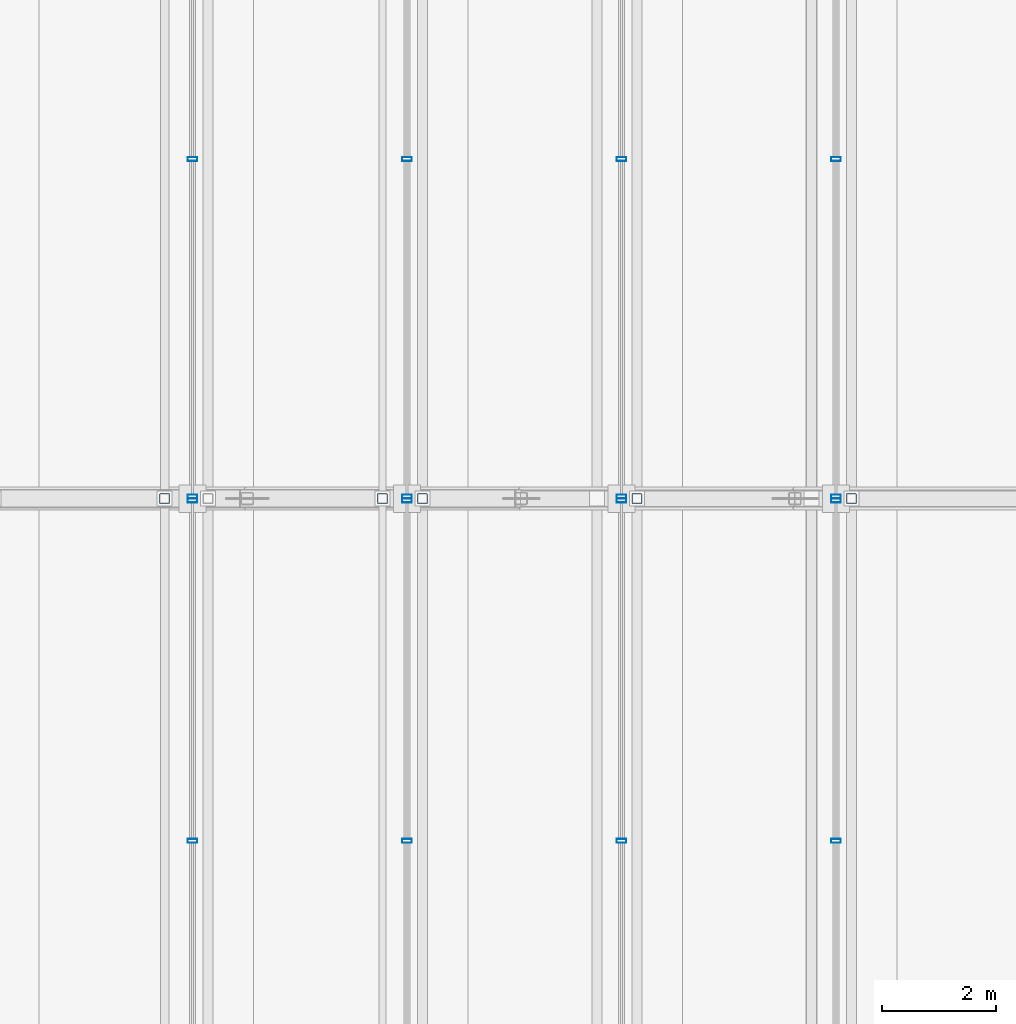
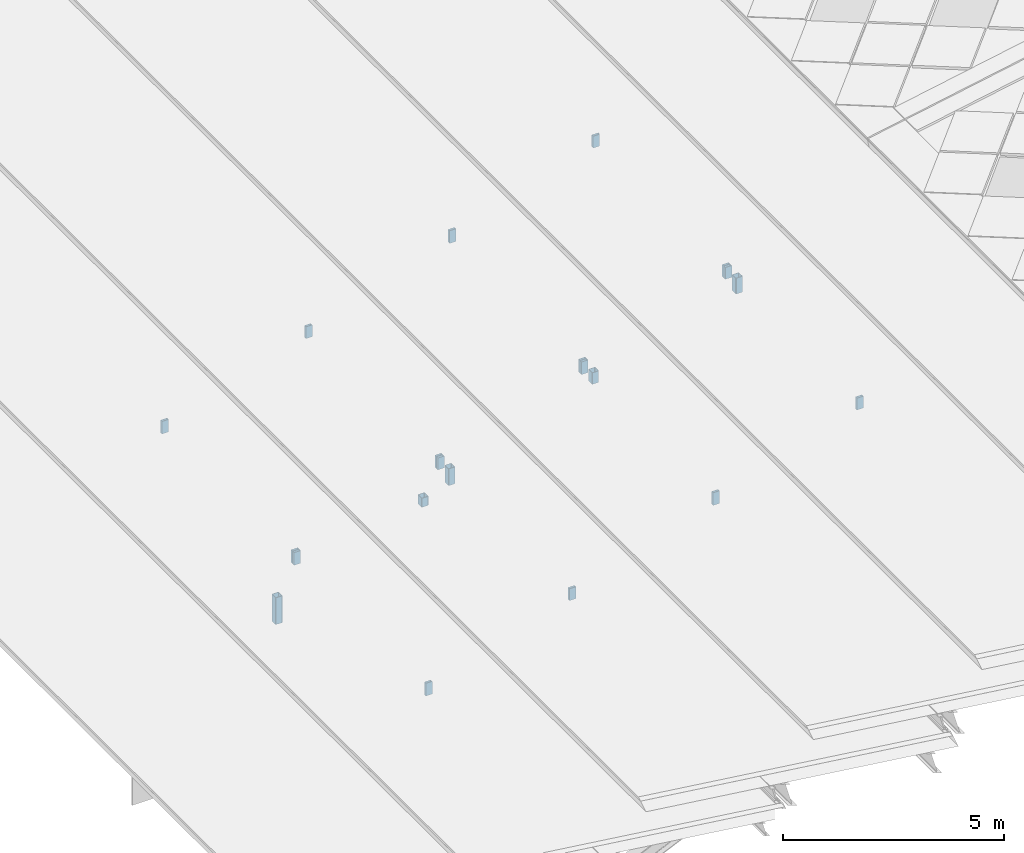
# One storey, part 67 of 117: 21 members, 8 elements without a shape of their own.
"""IFC4 building model written with IfcOpenShell, lengths in metres."""

import ifcopenshell
import ifcopenshell.guid

model = None  # the IFC model being written
_history = None  # IfcOwnerHistory: only IFC2X3 demands one
_inside = {}  # id of a spatial element -> (the spatial element, [elements in it])
_under = {}  # id of a project, library or spatial element -> (it, [spatial elements below it])
_declared = {}  # id of a project -> (the project, [libraries it declares])
_typed = {}  # id of a type object -> (the type object, [elements of that type])
_made_of = {}  # id of a material, layer set ... -> (it, [elements and type objects made of it])


def new_model(schema):
    """Start an empty IFC model of exactly this schema.

    Asked for "IFC4X3", IfcOpenShell would pick the latest addendum, in which some entities
    have other attributes; the version numbers below select the first issue.
    IFC2X3 requires an IfcOwnerHistory on every rooted entity: one is made here for all.
    """
    global model, _history
    if schema == "IFC4X3":
        model = ifcopenshell.file(schema_version=(4, 3, 0, 0))
    else:
        model = ifcopenshell.file(schema=schema)
    _inside.clear()
    _under.clear()
    _declared.clear()
    _typed.clear()
    _made_of.clear()
    _history = None
    if model.schema == "IFC2X3":
        org = make("IfcOrganization", Name="unknown")
        user = make(
            "IfcPersonAndOrganization",
            ThePerson=make("IfcPerson", FamilyName="unknown"),
            TheOrganization=org,
        )
        app = make(
            "IfcApplication",
            ApplicationDeveloper=org,
            Version="unknown",
            ApplicationFullName="unknown",
            ApplicationIdentifier="unknown",
        )
        _history = make(
            "IfcOwnerHistory",
            OwningUser=user,
            OwningApplication=app,
            ChangeAction="ADDED",
            CreationDate=0,
        )
    return model


def make(cls, **values):
    """One entity of the class cls with the attributes given. An attribute that is None is left unset."""
    return model.create_entity(
        cls, **{name: value for name, value in values.items() if value is not None}
    )


def rooted(cls, **values):
    """An entity with a GlobalId (a new one), such as an element, a storey or a relation."""
    return make(cls, GlobalId=ifcopenshell.guid.new(), OwnerHistory=_history, **values)


def si_unit(unit_type, name, prefix=None):
    """IfcSIUnit, for example si_unit("LENGTHUNIT", "METRE", prefix="MILLI")."""
    return make("IfcSIUnit", UnitType=unit_type, Prefix=prefix, Name=name)


def assignment(units):
    """IfcUnitAssignment: the units of a project."""
    return None if units is None else make("IfcUnitAssignment", Units=units)


def point(xyz):
    """IfcCartesianPoint."""
    return None if xyz is None else make("IfcCartesianPoint", Coordinates=xyz)


def direction(xyz):
    """IfcDirection."""
    return None if xyz is None else make("IfcDirection", DirectionRatios=xyz)


def frame(location, z_axis=None, x_axis=None):
    """IfcAxis2Placement3D, a coordinate frame: its origin and axes. An axis left out is left unset."""
    return make(
        "IfcAxis2Placement3D",
        Location=point(location),
        Axis=direction(z_axis),
        RefDirection=direction(x_axis),
    )


def frame_2d(location, x_axis=None):
    """IfcAxis2Placement2D, a coordinate frame in the plane: its origin and x axis."""
    return make(
        "IfcAxis2Placement2D", Location=point(location), RefDirection=direction(x_axis)
    )


def origin():
    """The frame at (0, 0, 0) with its axes left unset."""
    return frame((0.0, 0.0, 0.0))


def origin_2d():
    """The frame at (0, 0) in the plane with its x axis left unset."""
    return frame_2d((0.0, 0.0))


def place(relative_to, where):
    """IfcLocalPlacement: puts the frame where relative to a parent placement (None: the world)."""
    return make(
        "IfcLocalPlacement", PlacementRelTo=relative_to, RelativePlacement=where
    )


def context(
    kind, dimensions, precision=None, world=None, true_north=None, identifier=None
):
    """IfcGeometricRepresentationContext, for example the 3D "Model" context."""
    return make(
        "IfcGeometricRepresentationContext",
        ContextIdentifier=identifier,
        ContextType=kind,
        CoordinateSpaceDimension=dimensions,
        Precision=precision,
        WorldCoordinateSystem=world,
        TrueNorth=true_north,
    )


def subcontext(parent, identifier, kind, view, scale=None):
    """IfcGeometricRepresentationSubContext, for example "Body" below "Model"."""
    return make(
        "IfcGeometricRepresentationSubContext",
        ContextIdentifier=identifier,
        ContextType=kind,
        ParentContext=parent,
        TargetScale=scale,
        TargetView=view,
    )


def project(units=None, contexts=None):
    """IfcProject with its units and contexts."""
    return rooted(
        "IfcProject",
        Name="project",
        RepresentationContexts=contexts,
        UnitsInContext=assignment(units),
    )


def spatial(cls, under=None, at=None, **own):
    """A site, building, storey or space (cls), placed at a placement, below another one or the project."""
    s = rooted(cls, ObjectPlacement=at, **own)
    if under is not None:
        _under.setdefault(under.id(), (under, []))[1].append(s)
    return s


def profile(cls, at=None, kind="AREA", **sizes):
    """A parametric profile (cls). Its sizes go by their IFC names, for example OverallWidth=200.0."""
    return make(cls, ProfileType=kind, Position=at, **sizes)


def hollow_rectangle(**sizes):
    """IfcRectangleHollowProfileDef."""
    return profile("IfcRectangleHollowProfileDef", **sizes)


def extrude(swept, where, along, depth):
    """IfcExtrudedAreaSolid: the profile swept, set in the frame where, extruded along a direction by depth."""
    return make(
        "IfcExtrudedAreaSolid",
        SweptArea=swept,
        Position=where,
        ExtrudedDirection=direction(along),
        Depth=depth,
    )


def shape(context_of_items, identifier, shape_type, items):
    """IfcShapeRepresentation: the items that make up one representation, for example the "Body"."""
    return make(
        "IfcShapeRepresentation",
        ContextOfItems=context_of_items,
        RepresentationIdentifier=identifier,
        RepresentationType=shape_type,
        Items=items,
    )


def material(Name=None, Category=None):
    """IfcMaterial."""
    return make("IfcMaterial", Name=Name, Category=Category)


def material_profile(
    of_material, cross_section, Name=None, Category=None, Priority=None
):
    """IfcMaterialProfile: a cross section and its material."""
    return make(
        "IfcMaterialProfile",
        Name=Name,
        Material=of_material,
        Profile=cross_section,
        Priority=Priority,
        Category=Category,
    )


def profile_set(profiles, Name=None, composite=None):
    """IfcMaterialProfileSet."""
    return make(
        "IfcMaterialProfileSet",
        Name=Name,
        MaterialProfiles=profiles,
        CompositeProfile=composite,
    )


def made_of(thing, what):
    """Note that an element or type object is made of a material, layer set ...; save() writes the relation."""
    if what is not None:
        _made_of.setdefault(what.id(), (what, []))[1].append(thing)
    return thing


def type_object(cls, material=None, **own):
    """A type object (cls), such as IfcWallType, which elements share."""
    return made_of(rooted(cls, **own), material)


def element(
    cls,
    number,
    at=None,
    inside=None,
    cuts=None,
    type_object=None,
    material=None,
    context=None,
    identifier="Body",
    shape_type=None,
    held_by="IfcProductDefinitionShape",
    body=None,
    shapes=None,
    **own,
):
    """One element of the class cls, such as IfcWall. Its Tag is "e" and its number.

    at: its placement. inside: the storey or other place that contains it. cuts: it is an
    opening in that element (IfcRelVoidsElement). A single representation is given by context,
    identifier, shape_type and body (its items); several are given by shapes. held_by: the class
    of the entity that holds the representations. save() writes the other relations.
    """
    e = rooted(cls, Tag="e%d" % number, ObjectPlacement=at, **own)
    if body is not None:
        shapes = [shape(context, identifier, shape_type, body)]
    if shapes is not None:
        e.Representation = make(held_by, Representations=shapes)
    if inside is not None:
        _inside.setdefault(inside.id(), (inside, []))[1].append(e)
    if cuts is not None:
        rooted(
            "IfcRelVoidsElement", RelatingBuildingElement=cuts, RelatedOpeningElement=e
        )
    if type_object is not None:
        _typed.setdefault(type_object.id(), (type_object, []))[1].append(e)
    return made_of(e, material)


def aggregate(whole, parts):
    """IfcRelAggregates: a whole, such as a stair, and the parts it consists of."""
    return rooted("IfcRelAggregates", RelatingObject=whole, RelatedObjects=parts)


def save(model, path):
    """Write the relations noted so far, then the file.

    IfcRelAggregates (storeys below a building ...), IfcRelContainedInSpatialStructure (elements
    in a storey), IfcRelDefinesByType, IfcRelAssociatesMaterial and IfcRelDeclares: one each for
    every whole, place, type object, material and project.
    """
    for whole, parts in _under.values():
        aggregate(whole, parts)
    for where, things in _inside.values():
        rooted(
            "IfcRelContainedInSpatialStructure",
            RelatedElements=things,
            RelatingStructure=where,
        )
    for kind, things in _typed.values():
        rooted("IfcRelDefinesByType", RelatedObjects=things, RelatingType=kind)
    for what, things in _made_of.values():
        rooted("IfcRelAssociatesMaterial", RelatedObjects=things, RelatingMaterial=what)
    for by, libraries in _declared.values():
        rooted("IfcRelDeclares", RelatingContext=by, RelatedDefinitions=libraries)
    model.write(path)


model = new_model("IFC4")

# Units and contexts
model_context = context("Model", 3, precision=1e-05, world=origin(), true_north=direction((0.0, 1.0)))
body_context = subcontext(model_context, "Body", "Model", "MODEL_VIEW")
ifc_project = project(units=[si_unit("LENGTHUNIT", "METRE"), si_unit("AREAUNIT", "SQUARE_METRE"), si_unit("VOLUMEUNIT", "CUBIC_METRE"), si_unit("PLANEANGLEUNIT", "RADIAN"), si_unit("MASSUNIT", "GRAM", prefix="KILO")], contexts=[model_context])

# Site, building, storey
site_placement = place(None, origin())
site = spatial("IfcSite", under=ifc_project, at=site_placement, CompositionType="ELEMENT")
building_placement = place(site_placement, origin())
building = spatial("IfcBuilding", under=site, at=building_placement, Name="Merenkruunu Market Hall", CompositionType="ELEMENT")
storey_placement = place(building_placement, frame((0.0, 0.0, 22.800048828125)))
storey = spatial("IfcBuildingStorey", under=building, at=storey_placement, Name="RF", CompositionType="ELEMENT", Elevation=22.800048828125)

# Curtain wall, members
ifc_material_1 = material(Name="Powder-coated aluminium", Category="aluminium")
curtain_wall_type = type_object("IfcCurtainWallType", Name="Clerestory Curtain Band CL05", PredefinedType="USERDEFINED", material=ifc_material_1)
curtain_wall_1_placement = place(storey_placement, origin())
curtain_wall_1 = element("IfcCurtainWall", 1, at=curtain_wall_1_placement, inside=storey, type_object=curtain_wall_type, Name="CW-RF-CWM04-085", ObjectType="CLERESTORY_BAND", PredefinedType="USERDEFINED")
ifc_material_profile_1 = material_profile(ifc_material_1, hollow_rectangle(XDim=0.070068359375, YDim=0.169921875, WallThickness=0.0048828125, at=origin_2d()), Name="ALU 70x170x5")
ifc_profile_set_1 = profile_set([ifc_material_profile_1], Name="Powder-coated aluminium")
member_type_1 = type_object("IfcMemberType", Name="Curtain Wall Mullion CWM04", PredefinedType="MULLION", material=ifc_profile_set_1)
member_1_placement = place(storey_placement, frame((3.840087890625, 81.60009765625, -6.52197265625), z_axis=(0.0, 0.0, 1.0), x_axis=(0.0, 1.0, 0.0)))
member_1 = element("IfcMember", 2, at=member_1_placement, type_object=member_type_1, Name="CL05 mullion 4", PredefinedType="MULLION", context=body_context, shape_type="SweptSolid", body=[
    extrude(hollow_rectangle(XDim=0.070068359375, YDim=0.169921875, WallThickness=0.0048828125, at=origin_2d()), origin(), (0.0, 0.0, 1.0), 0.347900390625),
])
member_2_placement = place(storey_placement, frame((3.840087890625, 87.56494140625, -6.52197265625), z_axis=(0.0, 0.0, 1.0), x_axis=(0.0, 1.0, 0.0)))
member_2 = element("IfcMember", 3, at=member_2_placement, type_object=member_type_1, Name="CL05 mullion 5", PredefinedType="MULLION", context=body_context, shape_type="SweptSolid", body=[
    extrude(hollow_rectangle(XDim=0.070068359375, YDim=0.169921875, WallThickness=0.0048828125, at=origin_2d()), origin(), (0.0, 0.0, 1.0), 0.347900390625),
])
aggregate(curtain_wall_1, [member_1, member_2])

curtain_wall_2_placement = place(storey_placement, origin())
curtain_wall_2 = element("IfcCurtainWall", 4, at=curtain_wall_2_placement, inside=storey, type_object=curtain_wall_type, Name="CW-RF-CWM04-087", ObjectType="CLERESTORY_BAND", PredefinedType="USERDEFINED")
member_3_placement = place(storey_placement, frame((3.840087890625, 87.635009765625, -6.52197265625), z_axis=(0.0, 0.0, 1.0), x_axis=(0.0, 1.0, 0.0)))
member_3 = element("IfcMember", 5, at=member_3_placement, type_object=member_type_1, Name="CL05 mullion 1", PredefinedType="MULLION", context=body_context, shape_type="SweptSolid", body=[
    extrude(hollow_rectangle(XDim=0.070068359375, YDim=0.169921875, WallThickness=0.0048828125, at=origin_2d()), origin(), (0.0, 0.0, 1.0), 0.347900390625),
])
member_4_placement = place(storey_placement, frame((3.840087890625, 93.550048828125, -6.52197265625), z_axis=(0.0, 0.0, 1.0), x_axis=(0.0, 1.0, 0.0)))
member_4 = element("IfcMember", 6, at=member_4_placement, type_object=member_type_1, Name="CL05 mullion 2", PredefinedType="MULLION", context=body_context, shape_type="SweptSolid", body=[
    extrude(hollow_rectangle(XDim=0.070068359375, YDim=0.169921875, WallThickness=0.0048828125, at=origin_2d()), origin(), (0.0, 0.0, 1.0), 0.347900390625),
])
aggregate(curtain_wall_2, [member_3, member_4])

curtain_wall_3_placement = place(storey_placement, origin())
curtain_wall_3 = element("IfcCurtainWall", 7, at=curtain_wall_3_placement, inside=storey, type_object=curtain_wall_type, Name="CW-RF-CWM04-093", ObjectType="CLERESTORY_BAND", PredefinedType="USERDEFINED")
member_5_placement = place(storey_placement, frame((7.60009765625, 81.60009765625, -5.2021484375), z_axis=(0.0, 0.0, 1.0), x_axis=(0.0, 1.0, 0.0)))
member_5 = element("IfcMember", 8, at=member_5_placement, type_object=member_type_1, Name="CL05 mullion 4", PredefinedType="MULLION", context=body_context, shape_type="SweptSolid", body=[
    extrude(hollow_rectangle(XDim=0.070068359375, YDim=0.169921875, WallThickness=0.0048828125, at=origin_2d()), origin(), (0.0, 0.0, 1.0), 0.3271484375),
])
member_6_placement = place(storey_placement, frame((7.60009765625, 87.56494140625, -5.2021484375), z_axis=(0.0, 0.0, 1.0), x_axis=(0.0, 1.0, 0.0)))
member_6 = element("IfcMember", 9, at=member_6_placement, type_object=member_type_1, Name="CL05 mullion 5", PredefinedType="MULLION", context=body_context, shape_type="SweptSolid", body=[
    extrude(hollow_rectangle(XDim=0.070068359375, YDim=0.169921875, WallThickness=0.0048828125, at=origin_2d()), origin(), (0.0, 0.0, 1.0), 0.3271484375),
])
aggregate(curtain_wall_3, [member_5, member_6])

curtain_wall_4_placement = place(storey_placement, origin())
curtain_wall_4 = element("IfcCurtainWall", 10, at=curtain_wall_4_placement, inside=storey, type_object=curtain_wall_type, Name="CW-RF-CWM04-095", ObjectType="CLERESTORY_BAND", PredefinedType="USERDEFINED")
member_7_placement = place(storey_placement, frame((7.60009765625, 87.635009765625, -5.2021484375), z_axis=(0.0, 0.0, 1.0), x_axis=(0.0, 1.0, 0.0)))
member_7 = element("IfcMember", 11, at=member_7_placement, type_object=member_type_1, Name="CL05 mullion 1", PredefinedType="MULLION", context=body_context, shape_type="SweptSolid", body=[
    extrude(hollow_rectangle(XDim=0.070068359375, YDim=0.169921875, WallThickness=0.0048828125, at=origin_2d()), origin(), (0.0, 0.0, 1.0), 0.3271484375),
])
member_8_placement = place(storey_placement, frame((7.60009765625, 93.550048828125, -5.2021484375), z_axis=(0.0, 0.0, 1.0), x_axis=(0.0, 1.0, 0.0)))
member_8 = element("IfcMember", 12, at=member_8_placement, type_object=member_type_1, Name="CL05 mullion 2", PredefinedType="MULLION", context=body_context, shape_type="SweptSolid", body=[
    extrude(hollow_rectangle(XDim=0.070068359375, YDim=0.169921875, WallThickness=0.0048828125, at=origin_2d()), origin(), (0.0, 0.0, 1.0), 0.3271484375),
])
aggregate(curtain_wall_4, [member_7, member_8])

curtain_wall_5_placement = place(storey_placement, origin())
curtain_wall_5 = element("IfcCurtainWall", 13, at=curtain_wall_5_placement, inside=storey, type_object=curtain_wall_type, Name="CW-RF-CWM04-101", ObjectType="CLERESTORY_BAND", PredefinedType="USERDEFINED")
member_9_placement = place(storey_placement, frame((11.360107421875, 81.60009765625, -3.882080078125), z_axis=(0.0, 0.0, 1.0), x_axis=(0.0, 1.0, 0.0)))
member_9 = element("IfcMember", 14, at=member_9_placement, type_object=member_type_1, Name="CL05 mullion 4", PredefinedType="MULLION", context=body_context, shape_type="SweptSolid", body=[
    extrude(hollow_rectangle(XDim=0.070068359375, YDim=0.169921875, WallThickness=0.0048828125, at=origin_2d()), origin(), (0.0, 0.0, 1.0), 0.34814453125),
])
member_10_placement = place(storey_placement, frame((11.360107421875, 87.56494140625, -3.882080078125), z_axis=(0.0, 0.0, 1.0), x_axis=(0.0, 1.0, 0.0)))
member_10 = element("IfcMember", 15, at=member_10_placement, type_object=member_type_1, Name="CL05 mullion 5", PredefinedType="MULLION", context=body_context, shape_type="SweptSolid", body=[
    extrude(hollow_rectangle(XDim=0.070068359375, YDim=0.169921875, WallThickness=0.0048828125, at=origin_2d()), origin(), (0.0, 0.0, 1.0), 0.34814453125),
])
aggregate(curtain_wall_5, [member_9, member_10])

curtain_wall_6_placement = place(storey_placement, origin())
curtain_wall_6 = element("IfcCurtainWall", 16, at=curtain_wall_6_placement, inside=storey, type_object=curtain_wall_type, Name="CW-RF-CWM04-103", ObjectType="CLERESTORY_BAND", PredefinedType="USERDEFINED")
member_11_placement = place(storey_placement, frame((11.360107421875, 87.635009765625, -3.882080078125), z_axis=(0.0, 0.0, 1.0), x_axis=(0.0, 1.0, 0.0)))
member_11 = element("IfcMember", 17, at=member_11_placement, type_object=member_type_1, Name="CL05 mullion 1", PredefinedType="MULLION", context=body_context, shape_type="SweptSolid", body=[
    extrude(hollow_rectangle(XDim=0.070068359375, YDim=0.169921875, WallThickness=0.0048828125, at=origin_2d()), origin(), (0.0, 0.0, 1.0), 0.34814453125),
])
member_12_placement = place(storey_placement, frame((11.360107421875, 93.550048828125, -3.882080078125), z_axis=(0.0, 0.0, 1.0), x_axis=(0.0, 1.0, 0.0)))
member_12 = element("IfcMember", 18, at=member_12_placement, type_object=member_type_1, Name="CL05 mullion 2", PredefinedType="MULLION", context=body_context, shape_type="SweptSolid", body=[
    extrude(hollow_rectangle(XDim=0.070068359375, YDim=0.169921875, WallThickness=0.0048828125, at=origin_2d()), origin(), (0.0, 0.0, 1.0), 0.34814453125),
])
aggregate(curtain_wall_6, [member_11, member_12])

curtain_wall_7_placement = place(storey_placement, origin())
curtain_wall_7 = element("IfcCurtainWall", 19, at=curtain_wall_7_placement, inside=storey, type_object=curtain_wall_type, Name="CW-RF-CWM04-109", ObjectType="CLERESTORY_BAND", PredefinedType="USERDEFINED")
member_13_placement = place(storey_placement, frame((15.1201171875, 81.60009765625, -2.56201171875), z_axis=(0.0, 0.0, 1.0), x_axis=(0.0, 1.0, 0.0)))
member_13 = element("IfcMember", 20, at=member_13_placement, type_object=member_type_1, Name="CL05 mullion 4", PredefinedType="MULLION", context=body_context, shape_type="SweptSolid", body=[
    extrude(hollow_rectangle(XDim=0.070068359375, YDim=0.169921875, WallThickness=0.0048828125, at=origin_2d()), origin(), (0.0, 0.0, 1.0), 0.326904296875),
])
member_14_placement = place(storey_placement, frame((15.1201171875, 87.56494140625, -2.56201171875), z_axis=(0.0, 0.0, 1.0), x_axis=(0.0, 1.0, 0.0)))
member_14 = element("IfcMember", 21, at=member_14_placement, type_object=member_type_1, Name="CL05 mullion 5", PredefinedType="MULLION", context=body_context, shape_type="SweptSolid", body=[
    extrude(hollow_rectangle(XDim=0.070068359375, YDim=0.169921875, WallThickness=0.0048828125, at=origin_2d()), origin(), (0.0, 0.0, 1.0), 0.326904296875),
])
aggregate(curtain_wall_7, [member_13, member_14])

curtain_wall_8_placement = place(storey_placement, origin())
curtain_wall_8 = element("IfcCurtainWall", 22, at=curtain_wall_8_placement, inside=storey, type_object=curtain_wall_type, Name="CW-RF-CWM04-111", ObjectType="CLERESTORY_BAND", PredefinedType="USERDEFINED")
member_15_placement = place(storey_placement, frame((15.1201171875, 87.635009765625, -2.56201171875), z_axis=(0.0, 0.0, 1.0), x_axis=(0.0, 1.0, 0.0)))
member_15 = element("IfcMember", 23, at=member_15_placement, type_object=member_type_1, Name="CL05 mullion 1", PredefinedType="MULLION", context=body_context, shape_type="SweptSolid", body=[
    extrude(hollow_rectangle(XDim=0.070068359375, YDim=0.169921875, WallThickness=0.0048828125, at=origin_2d()), origin(), (0.0, 0.0, 1.0), 0.326904296875),
])
member_16_placement = place(storey_placement, frame((15.1201171875, 93.550048828125, -2.56201171875), z_axis=(0.0, 0.0, 1.0), x_axis=(0.0, 1.0, 0.0)))
member_16 = element("IfcMember", 24, at=member_16_placement, type_object=member_type_1, Name="CL05 mullion 2", PredefinedType="MULLION", context=body_context, shape_type="SweptSolid", body=[
    extrude(hollow_rectangle(XDim=0.070068359375, YDim=0.169921875, WallThickness=0.0048828125, at=origin_2d()), origin(), (0.0, 0.0, 1.0), 0.326904296875),
])
aggregate(curtain_wall_8, [member_15, member_16])

# Members
ifc_material_2 = material(Name="Steel S355J2", Category="steel")
ifc_material_profile_2 = material_profile(ifc_material_2, hollow_rectangle(XDim=0.179931640625, YDim=0.179931640625, WallThickness=0.010009765625, InnerFilletRadius=0.010009765625, OuterFilletRadius=0.02001953125, at=origin_2d()), Name="SHS 180x180x10")
ifc_profile_set_2 = profile_set([ifc_material_profile_2], Name="Steel S355J2")
member_type_2 = type_object("IfcMemberType", Name="Diagonal Sway Brace BR05", PredefinedType="BRACE", material=ifc_profile_set_2)
member_17_placement = place(storey_placement, frame((3.35009765625, 87.60009765625, -7.98095703125), z_axis=(0.0, 0.0, 1.0), x_axis=(1.0, 0.0, 0.0)))
element("IfcMember", 25, at=member_17_placement, inside=storey, type_object=member_type_2, Name="TRUSS-AT-7-RISER-W1-2", PredefinedType="BRACE", context=body_context, shape_type="SweptSolid", body=[
    extrude(hollow_rectangle(XDim=0.179931640625, YDim=0.179931640625, WallThickness=0.010009765625, InnerFilletRadius=0.010009765625, OuterFilletRadius=0.02001953125, at=origin_2d()), origin(), (0.0, 0.0, 1.0), 0.741455078125),
])
member_18_placement = place(storey_placement, frame((7.169921875, 87.60009765625, -6.075439453125), z_axis=(0.0, 0.0, 1.0), x_axis=(1.0, 0.0, 0.0)))
element("IfcMember", 26, at=member_18_placement, inside=storey, type_object=member_type_2, Name="TRUSS-AT-7-RISER-W2-2", PredefinedType="BRACE", context=body_context, shape_type="SweptSolid", body=[
    extrude(hollow_rectangle(XDim=0.179931640625, YDim=0.179931640625, WallThickness=0.010009765625, InnerFilletRadius=0.010009765625, OuterFilletRadius=0.02001953125, at=origin_2d()), origin(), (0.0, 0.0, 1.0), 0.25),
])
member_19_placement = place(storey_placement, frame((7.8701171875, 87.60009765625, -5.720947265625), z_axis=(0.0, 0.0, 1.0), x_axis=(1.0, 0.0, 0.0)))
element("IfcMember", 27, at=member_19_placement, inside=storey, type_object=member_type_2, Name="TRUSS-AT-7-RISER-W3-1", PredefinedType="BRACE", context=body_context, shape_type="SweptSolid", body=[
    extrude(hollow_rectangle(XDim=0.179931640625, YDim=0.179931640625, WallThickness=0.010009765625, InnerFilletRadius=0.010009765625, OuterFilletRadius=0.02001953125, at=origin_2d()), origin(), (0.0, 0.0, 1.0), 0.462646484375),
])
member_20_placement = place(storey_placement, frame((11.6298828125, 87.60009765625, -4.23583984375), z_axis=(0.0, 0.0, 1.0), x_axis=(1.0, 0.0, 0.0)))
element("IfcMember", 28, at=member_20_placement, inside=storey, type_object=member_type_2, Name="TRUSS-AT-7-RISER-W4-1", PredefinedType="BRACE", context=body_context, shape_type="SweptSolid", body=[
    extrude(hollow_rectangle(XDim=0.179931640625, YDim=0.179931640625, WallThickness=0.010009765625, InnerFilletRadius=0.010009765625, OuterFilletRadius=0.02001953125, at=origin_2d()), origin(), (0.0, 0.0, 1.0), 0.31787109375),
])
member_21_placement = place(storey_placement, frame((15.389892578125, 87.60009765625, -3.053955078125), z_axis=(0.0, 0.0, 1.0), x_axis=(1.0, 0.0, 0.0)))
element("IfcMember", 29, at=member_21_placement, inside=storey, type_object=member_type_2, Name="TRUSS-AT-7-RISER-W5-1", PredefinedType="BRACE", context=body_context, shape_type="SweptSolid", body=[
    extrude(hollow_rectangle(XDim=0.179931640625, YDim=0.179931640625, WallThickness=0.010009765625, InnerFilletRadius=0.010009765625, OuterFilletRadius=0.02001953125, at=origin_2d()), origin(), (0.0, 0.0, 1.0), 0.435546875),
])

save(model, "model.ifc")
